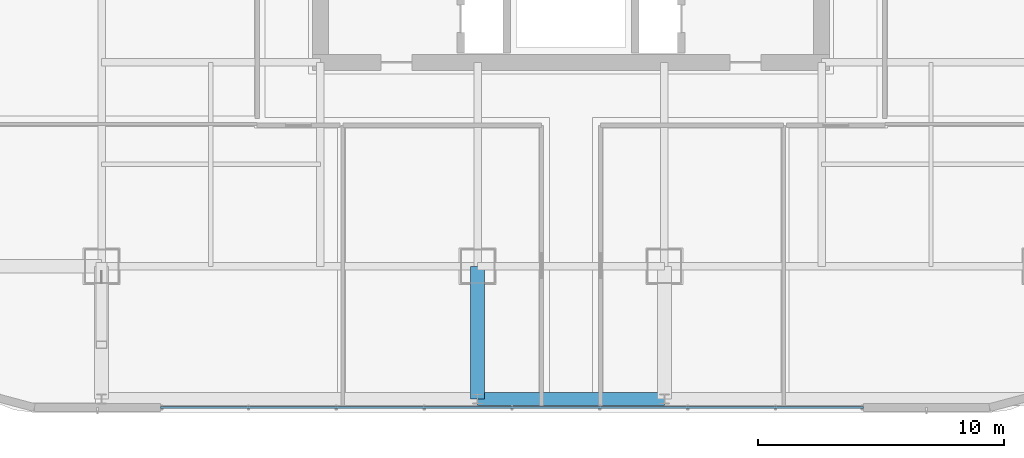
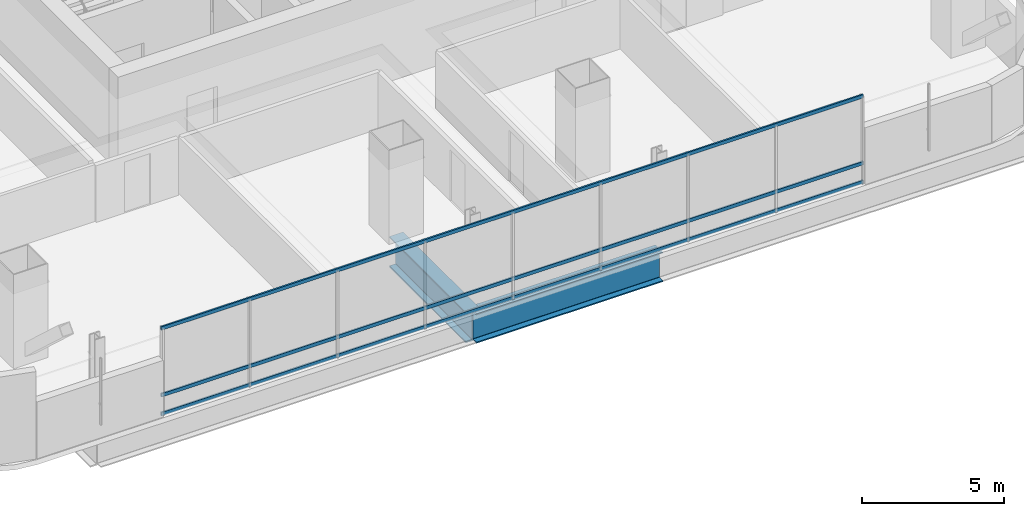
# One storey, part 6 of 46: 3 members, 2 beams, 1 element without a shape of its own.
"""IFC4 building model written with IfcOpenShell, lengths in metres."""

import ifcopenshell
import ifcopenshell.guid

model = None  # the IFC model being written
_history = None  # IfcOwnerHistory: only IFC2X3 demands one
_inside = {}  # id of a spatial element -> (the spatial element, [elements in it])
_under = {}  # id of a project, library or spatial element -> (it, [spatial elements below it])
_declared = {}  # id of a project -> (the project, [libraries it declares])
_typed = {}  # id of a type object -> (the type object, [elements of that type])
_made_of = {}  # id of a material, layer set ... -> (it, [elements and type objects made of it])


def new_model(schema):
    """Start an empty IFC model of exactly this schema.

    Asked for "IFC4X3", IfcOpenShell would pick the latest addendum, in which some entities
    have other attributes; the version numbers below select the first issue.
    IFC2X3 requires an IfcOwnerHistory on every rooted entity: one is made here for all.
    """
    global model, _history
    if schema == "IFC4X3":
        model = ifcopenshell.file(schema_version=(4, 3, 0, 0))
    else:
        model = ifcopenshell.file(schema=schema)
    _inside.clear()
    _under.clear()
    _declared.clear()
    _typed.clear()
    _made_of.clear()
    _history = None
    if model.schema == "IFC2X3":
        org = make("IfcOrganization", Name="unknown")
        user = make(
            "IfcPersonAndOrganization",
            ThePerson=make("IfcPerson", FamilyName="unknown"),
            TheOrganization=org,
        )
        app = make(
            "IfcApplication",
            ApplicationDeveloper=org,
            Version="unknown",
            ApplicationFullName="unknown",
            ApplicationIdentifier="unknown",
        )
        _history = make(
            "IfcOwnerHistory",
            OwningUser=user,
            OwningApplication=app,
            ChangeAction="ADDED",
            CreationDate=0,
        )
    return model


def make(cls, **values):
    """One entity of the class cls with the attributes given. An attribute that is None is left unset."""
    return model.create_entity(
        cls, **{name: value for name, value in values.items() if value is not None}
    )


def rooted(cls, **values):
    """An entity with a GlobalId (a new one), such as an element, a storey or a relation."""
    return make(cls, GlobalId=ifcopenshell.guid.new(), OwnerHistory=_history, **values)


def si_unit(unit_type, name, prefix=None):
    """IfcSIUnit, for example si_unit("LENGTHUNIT", "METRE", prefix="MILLI")."""
    return make("IfcSIUnit", UnitType=unit_type, Prefix=prefix, Name=name)


def assignment(units):
    """IfcUnitAssignment: the units of a project."""
    return None if units is None else make("IfcUnitAssignment", Units=units)


def point(xyz):
    """IfcCartesianPoint."""
    return None if xyz is None else make("IfcCartesianPoint", Coordinates=xyz)


def direction(xyz):
    """IfcDirection."""
    return None if xyz is None else make("IfcDirection", DirectionRatios=xyz)


def frame(location, z_axis=None, x_axis=None):
    """IfcAxis2Placement3D, a coordinate frame: its origin and axes. An axis left out is left unset."""
    return make(
        "IfcAxis2Placement3D",
        Location=point(location),
        Axis=direction(z_axis),
        RefDirection=direction(x_axis),
    )


def frame_2d(location, x_axis=None):
    """IfcAxis2Placement2D, a coordinate frame in the plane: its origin and x axis."""
    return make(
        "IfcAxis2Placement2D", Location=point(location), RefDirection=direction(x_axis)
    )


def origin():
    """The frame at (0, 0, 0) with its axes left unset."""
    return frame((0.0, 0.0, 0.0))


def origin_2d():
    """The frame at (0, 0) in the plane with its x axis left unset."""
    return frame_2d((0.0, 0.0))


def place(relative_to, where):
    """IfcLocalPlacement: puts the frame where relative to a parent placement (None: the world)."""
    return make(
        "IfcLocalPlacement", PlacementRelTo=relative_to, RelativePlacement=where
    )


def context(
    kind, dimensions, precision=None, world=None, true_north=None, identifier=None
):
    """IfcGeometricRepresentationContext, for example the 3D "Model" context."""
    return make(
        "IfcGeometricRepresentationContext",
        ContextIdentifier=identifier,
        ContextType=kind,
        CoordinateSpaceDimension=dimensions,
        Precision=precision,
        WorldCoordinateSystem=world,
        TrueNorth=true_north,
    )


def subcontext(parent, identifier, kind, view, scale=None):
    """IfcGeometricRepresentationSubContext, for example "Body" below "Model"."""
    return make(
        "IfcGeometricRepresentationSubContext",
        ContextIdentifier=identifier,
        ContextType=kind,
        ParentContext=parent,
        TargetScale=scale,
        TargetView=view,
    )


def project(units=None, contexts=None):
    """IfcProject with its units and contexts."""
    return rooted(
        "IfcProject",
        Name="project",
        RepresentationContexts=contexts,
        UnitsInContext=assignment(units),
    )


def spatial(cls, under=None, at=None, **own):
    """A site, building, storey or space (cls), placed at a placement, below another one or the project."""
    s = rooted(cls, ObjectPlacement=at, **own)
    if under is not None:
        _under.setdefault(under.id(), (under, []))[1].append(s)
    return s


def profile(cls, at=None, kind="AREA", **sizes):
    """A parametric profile (cls). Its sizes go by their IFC names, for example OverallWidth=200.0."""
    return make(cls, ProfileType=kind, Position=at, **sizes)


def hollow_rectangle(**sizes):
    """IfcRectangleHollowProfileDef."""
    return profile("IfcRectangleHollowProfileDef", **sizes)


def i_section(**sizes):
    """IfcIShapeProfileDef."""
    return profile("IfcIShapeProfileDef", **sizes)


def extrude(swept, where, along, depth):
    """IfcExtrudedAreaSolid: the profile swept, set in the frame where, extruded along a direction by depth."""
    return make(
        "IfcExtrudedAreaSolid",
        SweptArea=swept,
        Position=where,
        ExtrudedDirection=direction(along),
        Depth=depth,
    )


def shape(context_of_items, identifier, shape_type, items):
    """IfcShapeRepresentation: the items that make up one representation, for example the "Body"."""
    return make(
        "IfcShapeRepresentation",
        ContextOfItems=context_of_items,
        RepresentationIdentifier=identifier,
        RepresentationType=shape_type,
        Items=items,
    )


def material(Name=None, Category=None):
    """IfcMaterial."""
    return make("IfcMaterial", Name=Name, Category=Category)


def material_profile(
    of_material, cross_section, Name=None, Category=None, Priority=None
):
    """IfcMaterialProfile: a cross section and its material."""
    return make(
        "IfcMaterialProfile",
        Name=Name,
        Material=of_material,
        Profile=cross_section,
        Priority=Priority,
        Category=Category,
    )


def profile_set(profiles, Name=None, composite=None):
    """IfcMaterialProfileSet."""
    return make(
        "IfcMaterialProfileSet",
        Name=Name,
        MaterialProfiles=profiles,
        CompositeProfile=composite,
    )


def made_of(thing, what):
    """Note that an element or type object is made of a material, layer set ...; save() writes the relation."""
    if what is not None:
        _made_of.setdefault(what.id(), (what, []))[1].append(thing)
    return thing


def type_object(cls, material=None, **own):
    """A type object (cls), such as IfcWallType, which elements share."""
    return made_of(rooted(cls, **own), material)


def element(
    cls,
    number,
    at=None,
    inside=None,
    cuts=None,
    type_object=None,
    material=None,
    context=None,
    identifier="Body",
    shape_type=None,
    held_by="IfcProductDefinitionShape",
    body=None,
    shapes=None,
    **own,
):
    """One element of the class cls, such as IfcWall. Its Tag is "e" and its number.

    at: its placement. inside: the storey or other place that contains it. cuts: it is an
    opening in that element (IfcRelVoidsElement). A single representation is given by context,
    identifier, shape_type and body (its items); several are given by shapes. held_by: the class
    of the entity that holds the representations. save() writes the other relations.
    """
    e = rooted(cls, Tag="e%d" % number, ObjectPlacement=at, **own)
    if body is not None:
        shapes = [shape(context, identifier, shape_type, body)]
    if shapes is not None:
        e.Representation = make(held_by, Representations=shapes)
    if inside is not None:
        _inside.setdefault(inside.id(), (inside, []))[1].append(e)
    if cuts is not None:
        rooted(
            "IfcRelVoidsElement", RelatingBuildingElement=cuts, RelatedOpeningElement=e
        )
    if type_object is not None:
        _typed.setdefault(type_object.id(), (type_object, []))[1].append(e)
    return made_of(e, material)


def aggregate(whole, parts):
    """IfcRelAggregates: a whole, such as a stair, and the parts it consists of."""
    return rooted("IfcRelAggregates", RelatingObject=whole, RelatedObjects=parts)


def save(model, path):
    """Write the relations noted so far, then the file.

    IfcRelAggregates (storeys below a building ...), IfcRelContainedInSpatialStructure (elements
    in a storey), IfcRelDefinesByType, IfcRelAssociatesMaterial and IfcRelDeclares: one each for
    every whole, place, type object, material and project.
    """
    for whole, parts in _under.values():
        aggregate(whole, parts)
    for where, things in _inside.values():
        rooted(
            "IfcRelContainedInSpatialStructure",
            RelatedElements=things,
            RelatingStructure=where,
        )
    for kind, things in _typed.values():
        rooted("IfcRelDefinesByType", RelatedObjects=things, RelatingType=kind)
    for what, things in _made_of.values():
        rooted("IfcRelAssociatesMaterial", RelatedObjects=things, RelatingMaterial=what)
    for by, libraries in _declared.values():
        rooted("IfcRelDeclares", RelatingContext=by, RelatedDefinitions=libraries)
    model.write(path)


model = new_model("IFC4")

# Units and contexts
model_context = context("Model", 3, precision=1e-05, world=origin(), true_north=direction((0.0, 1.0)))
body_context = subcontext(model_context, "Body", "Model", "MODEL_VIEW")
ifc_project = project(units=[si_unit("LENGTHUNIT", "METRE"), si_unit("AREAUNIT", "SQUARE_METRE"), si_unit("VOLUMEUNIT", "CUBIC_METRE"), si_unit("PLANEANGLEUNIT", "RADIAN"), si_unit("MASSUNIT", "GRAM", prefix="KILO")], contexts=[model_context])

# Site, building, storey
site_placement = place(None, origin())
site = spatial("IfcSite", under=ifc_project, at=site_placement, CompositionType="ELEMENT")
building_placement = place(site_placement, origin())
building = spatial("IfcBuilding", under=site, at=building_placement, Name="Punatoya Terracotta Tower", CompositionType="ELEMENT")
storey_placement = place(building_placement, frame((0.0, 0.0, 200.550048828125)))
storey = spatial("IfcBuildingStorey", under=building, at=storey_placement, Name="L47", CompositionType="ELEMENT", Elevation=200.550048828125)

# Beams
ifc_material_1 = material(Name="Steel S460", Category="steel")
ifc_material_profile_1 = material_profile(ifc_material_1, i_section(OverallWidth=0.56005859375, OverallDepth=1.320068359375, WebThickness=0.035888671875, FlangeThickness=0.054931640625, FilletRadius=0.01806640625, at=origin_2d()))
ifc_profile_set_1 = profile_set([ifc_material_profile_1], Name="Steel S460")
beam_type_1 = type_object("IfcBeamType", Name="BM-TG-BLK", PredefinedType="BEAM", material=ifc_profile_set_1)
beam_1_placement = place(storey_placement, frame((-3.800048828125, -22.89990234375, -0.880126953125), z_axis=(0.0, 1.0, 0.0), x_axis=(-1.0, 0.0, 0.0)))
element("IfcBeam", 1, at=beam_1_placement, inside=storey, type_object=beam_type_1, Name="BM-L47-CANT-S2", PredefinedType="BEAM", context=body_context, shape_type="SweptSolid", body=[
    extrude(i_section(OverallWidth=0.56005859375, OverallDepth=1.320068359375, WebThickness=0.035888671875, FlangeThickness=0.054931640625, FilletRadius=0.01806640625, at=origin_2d()), origin(), (0.0, 0.0, 1.0), 5.39990234375),
])
ifc_material_profile_2 = material_profile(ifc_material_1, i_section(OverallWidth=0.52001953125, OverallDepth=1.280029296875, WebThickness=0.031982421875, FlangeThickness=0.050048828125, FilletRadius=0.01806640625, at=origin_2d()))
ifc_profile_set_2 = profile_set([ifc_material_profile_2], Name="Steel S460")
beam_type_2 = type_object("IfcBeamType", Name="BM-TG-NCK", PredefinedType="BEAM", material=ifc_profile_set_2)
beam_2_placement = place(storey_placement, frame((-3.800048828125, -22.89990234375, -0.860107421875), z_axis=(1.0, 0.0, 0.0), x_axis=(0.0, 1.0, 0.0)))
element("IfcBeam", 2, at=beam_2_placement, inside=storey, type_object=beam_type_2, Name="BM-L47-PER-S2", PredefinedType="BEAM", context=body_context, shape_type="SweptSolid", body=[
    extrude(i_section(OverallWidth=0.52001953125, OverallDepth=1.280029296875, WebThickness=0.031982421875, FlangeThickness=0.050048828125, FilletRadius=0.01806640625, at=origin_2d()), origin(), (0.0, 0.0, 1.0), 7.60009765625),
])

# Curtain wall, members
ifc_material_2 = material(Name="Aluminium 6063-T6 + Double Low-E Glass", Category="aluminium")
curtain_wall_type = type_object("IfcCurtainWallType", Name="CW-M2", PredefinedType="NOTDEFINED", material=ifc_material_2)
curtain_wall_placement = place(storey_placement, origin())
curtain_wall = element("IfcCurtainWall", 3, at=curtain_wall_placement, inside=storey, type_object=curtain_wall_type, Name="L47 Curtain Wall CW-L47-S01-1", PredefinedType="NOTDEFINED")
ifc_material_3 = material(Name="Aluminium 6063-T6", Category="aluminium")
ifc_material_profile_3 = material_profile(ifc_material_3, hollow_rectangle(XDim=0.068115234375, YDim=0.14990234375, WallThickness=0.00390625, at=origin_2d()))
ifc_profile_set_3 = profile_set([ifc_material_profile_3], Name="Aluminium 6063-T6")
member_type = type_object("IfcMemberType", Name="CW-TRN-TYP", PredefinedType="USERDEFINED", material=ifc_profile_set_3)
member_1_placement = place(storey_placement, frame((-16.699951171875, -23.25, 0.0400390625), z_axis=(1.0, 0.0, 0.0), x_axis=(0.0, 1.0, 0.0)))
member_1 = element("IfcMember", 4, at=member_1_placement, type_object=member_type, Name="CW-L47-S01-1 Transom 1", ObjectType="TRANSOM", PredefinedType="USERDEFINED", context=body_context, shape_type="SweptSolid", body=[
    extrude(hollow_rectangle(XDim=0.068115234375, YDim=0.14990234375, WallThickness=0.00390625, at=origin_2d()), origin(), (0.0, 0.0, 1.0), 28.599853515625),
])
member_2_placement = place(storey_placement, frame((-16.699951171875, -23.25, 0.849853515625), z_axis=(1.0, 0.0, 0.0), x_axis=(0.0, 1.0, 0.0)))
member_2 = element("IfcMember", 5, at=member_2_placement, type_object=member_type, Name="CW-L47-S01-1 Transom 2", ObjectType="TRANSOM", PredefinedType="USERDEFINED", context=body_context, shape_type="SweptSolid", body=[
    extrude(hollow_rectangle(XDim=0.068115234375, YDim=0.14990234375, WallThickness=0.00390625, at=origin_2d()), origin(), (0.0, 0.0, 1.0), 28.599853515625),
])
member_3_placement = place(storey_placement, frame((-16.699951171875, -23.25, 3.72998046875), z_axis=(1.0, 0.0, 0.0), x_axis=(0.0, 1.0, 0.0)))
member_3 = element("IfcMember", 6, at=member_3_placement, type_object=member_type, Name="CW-L47-S01-1 Transom 3", ObjectType="TRANSOM", PredefinedType="USERDEFINED", context=body_context, shape_type="SweptSolid", body=[
    extrude(hollow_rectangle(XDim=0.068115234375, YDim=0.14990234375, WallThickness=0.00390625, at=origin_2d()), origin(), (0.0, 0.0, 1.0), 28.599853515625),
])
aggregate(curtain_wall, [member_1, member_2, member_3])

save(model, "model.ifc")
